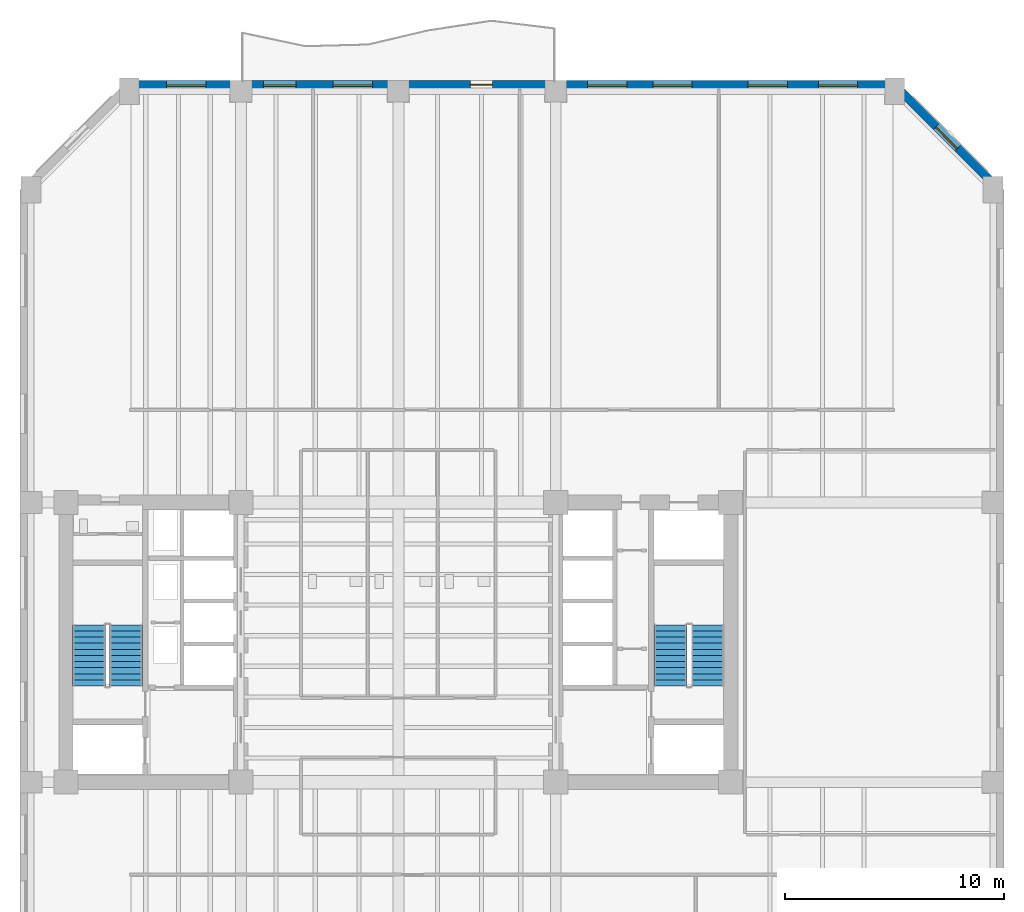
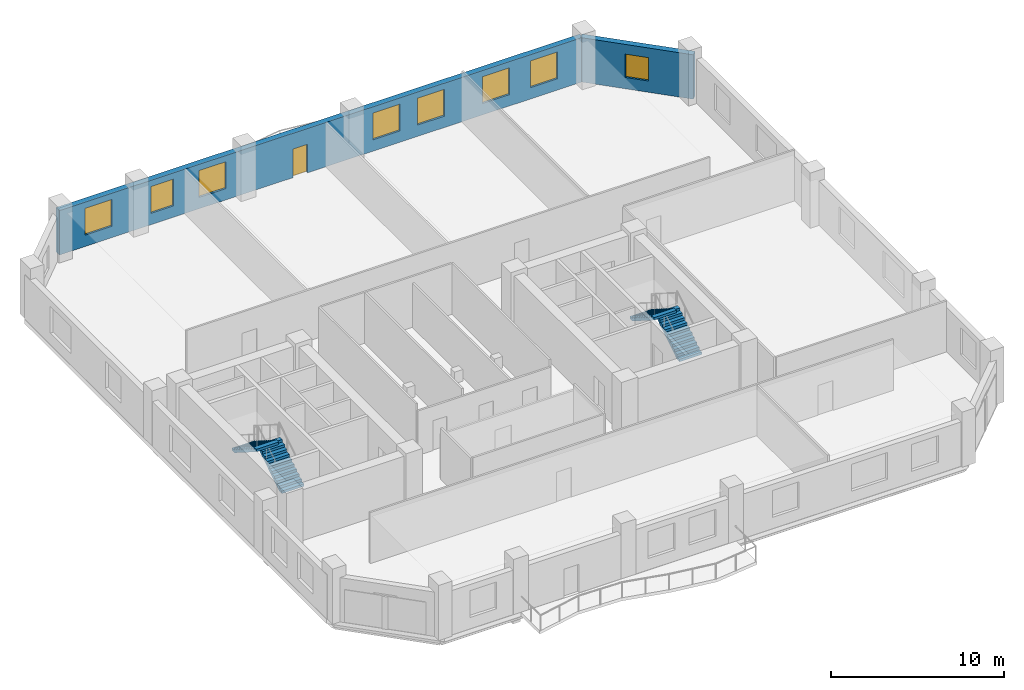
# One storey, part 5 of 9: 8 windows, 4 stair flights, 2 walls, 1 door, 9 openings, 2 elements without a shape of their own.
"""IFC4 building model written with IfcOpenShell, lengths in metres."""

from ifc_helpers import new_model, si_unit, direction, frame, frame_2d, origin, place, context, subcontext, project, spatial, polyline, rectangle, outline, extrude, material, layer, layer_set, type_object, element, fill, aggregate, save


model = new_model("IFC4")

# Units and contexts
model_context = context("Model", 3, precision=1e-05, world=origin(), true_north=direction((0.0, 1.0)))
body_context = subcontext(model_context, "Body", "Model", "MODEL_VIEW")
ifc_project = project(units=[si_unit("LENGTHUNIT", "METRE"), si_unit("AREAUNIT", "SQUARE_METRE"), si_unit("VOLUMEUNIT", "CUBIC_METRE"), si_unit("PLANEANGLEUNIT", "RADIAN"), si_unit("MASSUNIT", "GRAM", prefix="KILO")], contexts=[model_context])

# Site, building, storey
site_placement = place(None, origin())
site = spatial("IfcSite", under=ifc_project, at=site_placement, CompositionType="ELEMENT")
building_placement = place(site_placement, origin())
building = spatial("IfcBuilding", under=site, at=building_placement, Name="Kranthara Brick Stack", CompositionType="ELEMENT")
storey_placement = place(building_placement, frame((0.0, 0.0, 78.89990234375)))
storey = spatial("IfcBuildingStorey", under=building, at=storey_placement, Name="L19", CompositionType="ELEMENT", Elevation=78.89990234375)

# Wall, openings, door, windows
ifc_material_1 = material(Name="Kiln-fired clay brick masonry M15", Category="masonry")
ifc_layer = layer(ifc_material_1, 0.3798828125)
ifc_layer_set = layer_set([ifc_layer], Name="Kiln-fired clay brick masonry M15")
wall_type = type_object("IfcWallType", Name="WL-BRK-PIER-380", PredefinedType="STANDARD", material=ifc_layer_set)
wall_1_placement = place(storey_placement, frame((15.699951171875, 52.68994140625, 0.0), z_axis=(0.0, 0.0, 1.0), x_axis=(1.0, 0.0, 0.0)))
wall_1 = element("IfcWall", 1, at=wall_1_placement, inside=storey, type_object=wall_type, Name="L19 Exterior Brick Facade Wall NORTH 1", PredefinedType="STANDARD", context=body_context, shape_type="SweptSolid", body=[
    extrude(rectangle(XDim=35.0, YDim=0.3798828125, at=frame_2d((17.5, 0.0))), origin(), (0.0, 0.0, 1.0), 3.135009765625),
])
opening_1_placement = place(wall_1_placement, frame((15.60009765625, 0.0, 0.0)))
opening_1 = element("IfcOpeningElement", 2, at=opening_1_placement, cuts=wall_1, Name="Opening D03", PredefinedType="OPENING", context=body_context, shape_type="SweptSolid", body=[
    extrude(rectangle(XDim=1.0, YDim=2.02001953125, at=frame_2d((0.5, 1.010009765625))), frame((0.0, 0.199951171875, 0.0), z_axis=(0.0, -1.0, 0.0), x_axis=(1.0, 0.0, 0.0)), (0.0, 0.0, 1.0), 0.39990234375),
])
opening_2_placement = place(wall_1_placement, frame((1.699951171875, 0.0, 0.800048828125)))
opening_2 = element("IfcOpeningElement", 3, at=opening_2_placement, cuts=wall_1, Name="Opening WN01", PredefinedType="OPENING", context=body_context, shape_type="SweptSolid", body=[
    extrude(rectangle(XDim=1.800048828125, YDim=1.89990234375, at=frame_2d((0.89990234375, 0.949951171875))), frame((0.0, 0.199951171875, 0.0), z_axis=(0.0, -1.0, 0.0), x_axis=(1.0, 0.0, 0.0)), (0.0, 0.0, 1.0), 0.39990234375),
])
opening_3_placement = place(wall_1_placement, frame((6.125, 0.0, 0.800048828125)))
opening_3 = element("IfcOpeningElement", 4, at=opening_3_placement, cuts=wall_1, Name="Opening WN03", PredefinedType="OPENING", context=body_context, shape_type="SweptSolid", body=[
    extrude(rectangle(XDim=1.5, YDim=1.89990234375, at=frame_2d((0.75, 0.949951171875))), frame((0.0, 0.199951171875, 0.0), z_axis=(0.0, -1.0, 0.0), x_axis=(1.0, 0.0, 0.0)), (0.0, 0.0, 1.0), 0.39990234375),
])
opening_4_placement = place(wall_1_placement, frame((9.324951171875, 0.0, 0.800048828125)))
opening_4 = element("IfcOpeningElement", 5, at=opening_4_placement, cuts=wall_1, Name="Opening WN01", PredefinedType="OPENING", context=body_context, shape_type="SweptSolid", body=[
    extrude(rectangle(XDim=1.800048828125, YDim=1.89990234375, at=frame_2d((0.89990234375, 0.949951171875))), frame((0.0, 0.199951171875, 0.0), z_axis=(0.0, -1.0, 0.0), x_axis=(1.0, 0.0, 0.0)), (0.0, 0.0, 1.0), 0.39990234375),
])
opening_5_placement = place(wall_1_placement, frame((20.9619140625, 0.0, 0.800048828125)))
opening_5 = element("IfcOpeningElement", 6, at=opening_5_placement, cuts=wall_1, Name="Opening WN01", PredefinedType="OPENING", context=body_context, shape_type="SweptSolid", body=[
    extrude(rectangle(XDim=1.800048828125, YDim=1.89990234375, at=frame_2d((0.89990234375, 0.949951171875))), frame((0.0, 0.199951171875, 0.0), z_axis=(0.0, -1.0, 0.0), x_axis=(1.0, 0.0, 0.0)), (0.0, 0.0, 1.0), 0.39990234375),
])
opening_6_placement = place(wall_1_placement, frame((23.93798828125, 0.0, 0.800048828125)))
opening_6 = element("IfcOpeningElement", 7, at=opening_6_placement, cuts=wall_1, Name="Opening WN01", PredefinedType="OPENING", context=body_context, shape_type="SweptSolid", body=[
    extrude(rectangle(XDim=1.800048828125, YDim=1.89990234375, at=frame_2d((0.89990234375, 0.949951171875))), frame((0.0, 0.199951171875, 0.0), z_axis=(0.0, -1.0, 0.0), x_axis=(1.0, 0.0, 0.0)), (0.0, 0.0, 1.0), 0.39990234375),
])
opening_7_placement = place(wall_1_placement, frame((28.2919921875, 0.0, 0.800048828125)))
opening_7 = element("IfcOpeningElement", 8, at=opening_7_placement, cuts=wall_1, Name="Opening WN01", PredefinedType="OPENING", context=body_context, shape_type="SweptSolid", body=[
    extrude(rectangle(XDim=1.800048828125, YDim=1.89990234375, at=frame_2d((0.89990234375, 0.949951171875))), frame((0.0, 0.199951171875, 0.0), z_axis=(0.0, -1.0, 0.0), x_axis=(1.0, 0.0, 0.0)), (0.0, 0.0, 1.0), 0.39990234375),
])
opening_8_placement = place(wall_1_placement, frame((31.508056640625, 0.0, 0.800048828125)))
opening_8 = element("IfcOpeningElement", 9, at=opening_8_placement, cuts=wall_1, Name="Opening WN01", PredefinedType="OPENING", context=body_context, shape_type="SweptSolid", body=[
    extrude(rectangle(XDim=1.800048828125, YDim=1.89990234375, at=frame_2d((0.89990234375, 0.949951171875))), frame((0.0, 0.199951171875, 0.0), z_axis=(0.0, -1.0, 0.0), x_axis=(1.0, 0.0, 0.0)), (0.0, 0.0, 1.0), 0.39990234375),
])
ifc_material_2 = material(Name="Bronze anodised aluminium and laminated glass", Category="aluminium")
door_type = type_object("IfcDoorType", Name="DR-BALC-1000", OperationType="NOTDEFINED", PredefinedType="DOOR", material=ifc_material_2)
door_placement = place(opening_1_placement, origin())
door = element("IfcDoor", 10, at=door_placement, inside=storey, type_object=door_type, Name="L19 North Balcony Terrace Door", OperationType="SINGLE_SWING_RIGHT", OverallHeight=2.02001953125, OverallWidth=1.0, PredefinedType="DOOR", context=body_context, shape_type="SweptSolid", body=[
    extrude(rectangle(XDim=1.0, YDim=2.02001953125, at=frame_2d((0.5, 1.010009765625))), frame((0.0, 0.02490234375, 0.0), z_axis=(0.0, -1.0, 0.0), x_axis=(1.0, 0.0, 0.0)), (0.0, 0.0, 1.0), 0.050048828125),
])
fill(opening_1, door)
ifc_material_3 = material(Name="Double-glazed low-E solar control glass", Category="glass")
window_type_1 = type_object("IfcWindowType", Name="WN-OFF-1500x2000", PartitioningType="SINGLE_PANEL", PredefinedType="WINDOW", material=ifc_material_3)
window_1_placement = place(opening_3_placement, origin())
window_1 = element("IfcWindow", 11, at=window_1_placement, inside=storey, type_object=window_type_1, Name="L19 North Deep-Set Brick Window 02", OverallHeight=1.89990234375, OverallWidth=1.5, PartitioningType="SINGLE_PANEL", PredefinedType="WINDOW", context=body_context, shape_type="SweptSolid", body=[
    extrude(rectangle(XDim=1.5, YDim=1.89990234375, at=frame_2d((0.75, 0.949951171875))), frame((0.0, -0.010009765625, 0.0), z_axis=(0.0, -1.0, 0.0), x_axis=(1.0, 0.0, 0.0)), (0.0, 0.0, 1.0), 0.06005859375),
])
fill(opening_3, window_1)
ifc_material_4 = material(Name="Double-glazed low-E solar control glass", Category="glass")
window_type_2 = type_object("IfcWindowType", Name="WN-OFF-1800x2000", PartitioningType="SINGLE_PANEL", PredefinedType="WINDOW", material=ifc_material_4)
window_2_placement = place(opening_2_placement, origin())
window_2 = element("IfcWindow", 12, at=window_2_placement, inside=storey, type_object=window_type_2, Name="L19 North Deep-Set Brick Window 01", OverallHeight=1.89990234375, OverallWidth=1.800048828125, PartitioningType="SINGLE_PANEL", PredefinedType="WINDOW", context=body_context, shape_type="SweptSolid", body=[
    extrude(rectangle(XDim=1.800048828125, YDim=1.89990234375, at=frame_2d((0.89990234375, 0.949951171875))), frame((0.0, -0.010009765625, 0.0), z_axis=(0.0, -1.0, 0.0), x_axis=(1.0, 0.0, 0.0)), (0.0, 0.0, 1.0), 0.06005859375),
])
fill(opening_2, window_2)
window_3_placement = place(opening_4_placement, origin())
window_3 = element("IfcWindow", 13, at=window_3_placement, inside=storey, type_object=window_type_2, Name="L19 North Deep-Set Brick Window 03", OverallHeight=1.89990234375, OverallWidth=1.800048828125, PartitioningType="SINGLE_PANEL", PredefinedType="WINDOW", context=body_context, shape_type="SweptSolid", body=[
    extrude(rectangle(XDim=1.800048828125, YDim=1.89990234375, at=frame_2d((0.89990234375, 0.949951171875))), frame((0.0, -0.010009765625, 0.0), z_axis=(0.0, -1.0, 0.0), x_axis=(1.0, 0.0, 0.0)), (0.0, 0.0, 1.0), 0.06005859375),
])
fill(opening_4, window_3)
window_4_placement = place(opening_5_placement, origin())
window_4 = element("IfcWindow", 14, at=window_4_placement, inside=storey, type_object=window_type_2, Name="L19 North Deep-Set Brick Window 04", OverallHeight=1.89990234375, OverallWidth=1.800048828125, PartitioningType="SINGLE_PANEL", PredefinedType="WINDOW", context=body_context, shape_type="SweptSolid", body=[
    extrude(rectangle(XDim=1.800048828125, YDim=1.89990234375, at=frame_2d((0.89990234375, 0.949951171875))), frame((0.0, -0.010009765625, 0.0), z_axis=(0.0, -1.0, 0.0), x_axis=(1.0, 0.0, 0.0)), (0.0, 0.0, 1.0), 0.06005859375),
])
fill(opening_5, window_4)
window_5_placement = place(opening_6_placement, origin())
window_5 = element("IfcWindow", 15, at=window_5_placement, inside=storey, type_object=window_type_2, Name="L19 North Deep-Set Brick Window 05", OverallHeight=1.89990234375, OverallWidth=1.800048828125, PartitioningType="SINGLE_PANEL", PredefinedType="WINDOW", context=body_context, shape_type="SweptSolid", body=[
    extrude(rectangle(XDim=1.800048828125, YDim=1.89990234375, at=frame_2d((0.89990234375, 0.949951171875))), frame((0.0, -0.010009765625, 0.0), z_axis=(0.0, -1.0, 0.0), x_axis=(1.0, 0.0, 0.0)), (0.0, 0.0, 1.0), 0.06005859375),
])
fill(opening_6, window_5)
window_6_placement = place(opening_7_placement, origin())
window_6 = element("IfcWindow", 16, at=window_6_placement, inside=storey, type_object=window_type_2, Name="L19 North Deep-Set Brick Window 06", OverallHeight=1.89990234375, OverallWidth=1.800048828125, PartitioningType="SINGLE_PANEL", PredefinedType="WINDOW", context=body_context, shape_type="SweptSolid", body=[
    extrude(rectangle(XDim=1.800048828125, YDim=1.89990234375, at=frame_2d((0.89990234375, 0.949951171875))), frame((0.0, -0.010009765625, 0.0), z_axis=(0.0, -1.0, 0.0), x_axis=(1.0, 0.0, 0.0)), (0.0, 0.0, 1.0), 0.06005859375),
])
fill(opening_7, window_6)
window_7_placement = place(opening_8_placement, origin())
window_7 = element("IfcWindow", 17, at=window_7_placement, inside=storey, type_object=window_type_2, Name="L19 North Deep-Set Brick Window 07", OverallHeight=1.89990234375, OverallWidth=1.800048828125, PartitioningType="SINGLE_PANEL", PredefinedType="WINDOW", context=body_context, shape_type="SweptSolid", body=[
    extrude(rectangle(XDim=1.800048828125, YDim=1.89990234375, at=frame_2d((0.89990234375, 0.949951171875))), frame((0.0, -0.010009765625, 0.0), z_axis=(0.0, -1.0, 0.0), x_axis=(1.0, 0.0, 0.0)), (0.0, 0.0, 1.0), 0.06005859375),
])
fill(opening_8, window_7)

# Wall, opening, window
wall_2_placement = place(storey_placement, frame((50.699951171875, 52.68994140625, 0.0), z_axis=(0.0, 0.0, 1.0), x_axis=(0.707106781187, -0.707106781187, 0.0)))
wall_2 = element("IfcWall", 18, at=wall_2_placement, inside=storey, type_object=wall_type, Name="L19 Exterior Brick Facade Wall NE 1", PredefinedType="STANDARD", context=body_context, shape_type="SweptSolid", body=[
    extrude(rectangle(XDim=6.774169921875, YDim=0.3798828125, at=frame_2d((3.38720703125, 0.0))), origin(), (0.0, 0.0, 1.0), 3.135009765625),
])
opening_9_placement = place(wall_2_placement, frame((2.68701171875, 0.0, 0.800048828125)))
opening_9 = element("IfcOpeningElement", 19, at=opening_9_placement, cuts=wall_2, Name="Opening WN10", PredefinedType="OPENING", context=body_context, shape_type="SweptSolid", body=[
    extrude(rectangle(XDim=1.39990234375, YDim=1.64990234375, at=frame_2d((0.699951171875, 0.824951171875))), frame((0.0, 0.199951171875, 0.0), z_axis=(0.0, -1.0, 0.0), x_axis=(1.0, 0.0, 0.0)), (0.0, 0.0, 1.0), 0.39990234375),
])
ifc_material_5 = material(Name="Double-glazed low-E solar control glass", Category="glass")
window_type_3 = type_object("IfcWindowType", Name="WN-CHM-1400x1750", PartitioningType="SINGLE_PANEL", PredefinedType="WINDOW", material=ifc_material_5)
window_8_placement = place(opening_9_placement, origin())
window_8 = element("IfcWindow", 20, at=window_8_placement, inside=storey, type_object=window_type_3, Name="L19 NE Chamfer Corner Window", OverallHeight=1.64990234375, OverallWidth=1.39990234375, PartitioningType="SINGLE_PANEL", PredefinedType="WINDOW", context=body_context, shape_type="SweptSolid", body=[
    extrude(rectangle(XDim=1.39990234375, YDim=1.64990234375, at=frame_2d((0.699951171875, 0.824951171875))), frame((0.0, -0.010009765625, 0.0), z_axis=(0.0, -1.0, 0.0), x_axis=(1.0, 0.0, 0.0)), (0.0, 0.0, 1.0), 0.06005859375),
])
fill(opening_9, window_8)

# Stair, stair flights
ifc_material_6 = material(Name="Concrete C45/55", Category="concrete")
stair_type = type_object("IfcStairType", Name="ST-CORE-22R", PredefinedType="HALF_TURN_STAIR", material=ifc_material_6)
stair_1_placement = place(storey_placement, origin())
stair_1 = element("IfcStair", 21, at=stair_1_placement, inside=storey, type_object=stair_type, Name="L19 West Core Protected Exit Stair ST01", PredefinedType="HALF_TURN_STAIR")
ifc_material_7 = material(Name="Concrete C45/55", Category="concrete")
stair_flight_type = type_object("IfcStairFlightType", Name="SFL-RC-22R", PredefinedType="STRAIGHT", material=ifc_material_7)
stair_flight_1_placement = place(storey_placement, frame((15.550048828125, 25.199951171875, 0.0), z_axis=(0.0, 0.0, 1.0), x_axis=(0.0, 1.0, 0.0)))
stair_flight_1 = element("IfcStairFlight", 22, at=stair_flight_1_placement, type_object=stair_flight_type, Name="ST01 flight 1", NumberOfRisers=11, NumberOfTreads=10, PredefinedType="STRAIGHT", RiserHeight=0.177272727, TreadLength=0.28, context=body_context, shape_type="SweptSolid", body=[
    extrude(outline(polyline([(0.0, 0.0), (0.0, 0.17724609375), (0.280029296875, 0.17724609375), (0.280029296875, 0.3544921875), (0.56005859375, 0.3544921875), (0.56005859375, 0.53173828125), (0.840087890625, 0.53173828125), (0.840087890625, 0.708984375), (1.1201171875, 0.708984375), (1.1201171875, 0.886474609375), (1.39990234375, 0.886474609375), (1.39990234375, 1.063720703125), (1.679931640625, 1.063720703125), (1.679931640625, 1.240966796875), (1.9599609375, 1.240966796875), (1.9599609375, 1.418212890625), (2.239990234375, 1.418212890625), (2.239990234375, 1.595458984375), (2.52001953125, 1.595458984375), (2.52001953125, 1.772705078125), (2.800048828125, 1.772705078125), (2.800048828125, 1.949951171875), (2.800048828125, 1.59521484375), (0.2802734375, 0.0), (0.0, 0.0)])), frame((0.0, 0.75, 0.0), z_axis=(0.0, -1.0, 0.0), x_axis=(1.0, 0.0, 0.0)), (0.0, 0.0, 1.0), 1.5),
])
stair_flight_2_placement = place(storey_placement, frame((13.85009765625, 28.0, 1.9501953125), z_axis=(0.0, 0.0, 1.0), x_axis=(0.0, -1.0, 0.0)))
stair_flight_2 = element("IfcStairFlight", 23, at=stair_flight_2_placement, type_object=stair_flight_type, Name="ST01 flight 2", NumberOfRisers=11, NumberOfTreads=10, PredefinedType="STRAIGHT", RiserHeight=0.177272727, TreadLength=0.28, context=body_context, shape_type="SweptSolid", body=[
    extrude(outline(polyline([(0.0, 0.0), (0.0, 0.17724609375), (0.280029296875, 0.17724609375), (0.280029296875, 0.3544921875), (0.56005859375, 0.3544921875), (0.56005859375, 0.53173828125), (0.840087890625, 0.53173828125), (0.840087890625, 0.708984375), (1.1201171875, 0.708984375), (1.1201171875, 0.886474609375), (1.39990234375, 0.886474609375), (1.39990234375, 1.063720703125), (1.679931640625, 1.063720703125), (1.679931640625, 1.240966796875), (1.9599609375, 1.240966796875), (1.9599609375, 1.418212890625), (2.239990234375, 1.418212890625), (2.239990234375, 1.595458984375), (2.52001953125, 1.595458984375), (2.52001953125, 1.772705078125), (2.800048828125, 1.772705078125), (2.800048828125, 1.949951171875), (2.800048828125, 1.59521484375), (0.2802734375, 0.0), (0.0, 0.0)])), frame((0.0, 0.75, 0.0), z_axis=(0.0, -1.0, 0.0), x_axis=(1.0, 0.0, 0.0)), (0.0, 0.0, 1.0), 1.5),
])
aggregate(stair_1, [stair_flight_1, stair_flight_2])

stair_2_placement = place(storey_placement, origin())
stair_2 = element("IfcStair", 24, at=stair_2_placement, inside=storey, type_object=stair_type, Name="L19 East Core Protected Exit Stair ST02", PredefinedType="HALF_TURN_STAIR")
stair_flight_3_placement = place(storey_placement, frame((42.14990234375, 25.199951171875, 0.0), z_axis=(0.0, 0.0, 1.0), x_axis=(0.0, 1.0, 0.0)))
stair_flight_3 = element("IfcStairFlight", 25, at=stair_flight_3_placement, type_object=stair_flight_type, Name="ST02 flight 1", NumberOfRisers=11, NumberOfTreads=10, PredefinedType="STRAIGHT", RiserHeight=0.177272727, TreadLength=0.28, context=body_context, shape_type="SweptSolid", body=[
    extrude(outline(polyline([(0.0, 0.0), (0.0, 0.17724609375), (0.280029296875, 0.17724609375), (0.280029296875, 0.3544921875), (0.56005859375, 0.3544921875), (0.56005859375, 0.53173828125), (0.840087890625, 0.53173828125), (0.840087890625, 0.708984375), (1.1201171875, 0.708984375), (1.1201171875, 0.886474609375), (1.39990234375, 0.886474609375), (1.39990234375, 1.063720703125), (1.679931640625, 1.063720703125), (1.679931640625, 1.240966796875), (1.9599609375, 1.240966796875), (1.9599609375, 1.418212890625), (2.239990234375, 1.418212890625), (2.239990234375, 1.595458984375), (2.52001953125, 1.595458984375), (2.52001953125, 1.772705078125), (2.800048828125, 1.772705078125), (2.800048828125, 1.949951171875), (2.800048828125, 1.59521484375), (0.2802734375, 0.0), (0.0, 0.0)])), frame((0.0, 0.75, 0.0), z_axis=(0.0, -1.0, 0.0), x_axis=(1.0, 0.0, 0.0)), (0.0, 0.0, 1.0), 1.5),
])
stair_flight_4_placement = place(storey_placement, frame((40.449951171875, 28.0, 1.9501953125), z_axis=(0.0, 0.0, 1.0), x_axis=(0.0, -1.0, 0.0)))
stair_flight_4 = element("IfcStairFlight", 26, at=stair_flight_4_placement, type_object=stair_flight_type, Name="ST02 flight 2", NumberOfRisers=11, NumberOfTreads=10, PredefinedType="STRAIGHT", RiserHeight=0.177272727, TreadLength=0.28, context=body_context, shape_type="SweptSolid", body=[
    extrude(outline(polyline([(0.0, 0.0), (0.0, 0.17724609375), (0.280029296875, 0.17724609375), (0.280029296875, 0.3544921875), (0.56005859375, 0.3544921875), (0.56005859375, 0.53173828125), (0.840087890625, 0.53173828125), (0.840087890625, 0.708984375), (1.1201171875, 0.708984375), (1.1201171875, 0.886474609375), (1.39990234375, 0.886474609375), (1.39990234375, 1.063720703125), (1.679931640625, 1.063720703125), (1.679931640625, 1.240966796875), (1.9599609375, 1.240966796875), (1.9599609375, 1.418212890625), (2.239990234375, 1.418212890625), (2.239990234375, 1.595458984375), (2.52001953125, 1.595458984375), (2.52001953125, 1.772705078125), (2.800048828125, 1.772705078125), (2.800048828125, 1.949951171875), (2.800048828125, 1.59521484375), (0.2802734375, 0.0), (0.0, 0.0)])), frame((0.0, 0.75, 0.0), z_axis=(0.0, -1.0, 0.0), x_axis=(1.0, 0.0, 0.0)), (0.0, 0.0, 1.0), 1.5),
])
aggregate(stair_2, [stair_flight_3, stair_flight_4])

save(model, "model.ifc")
